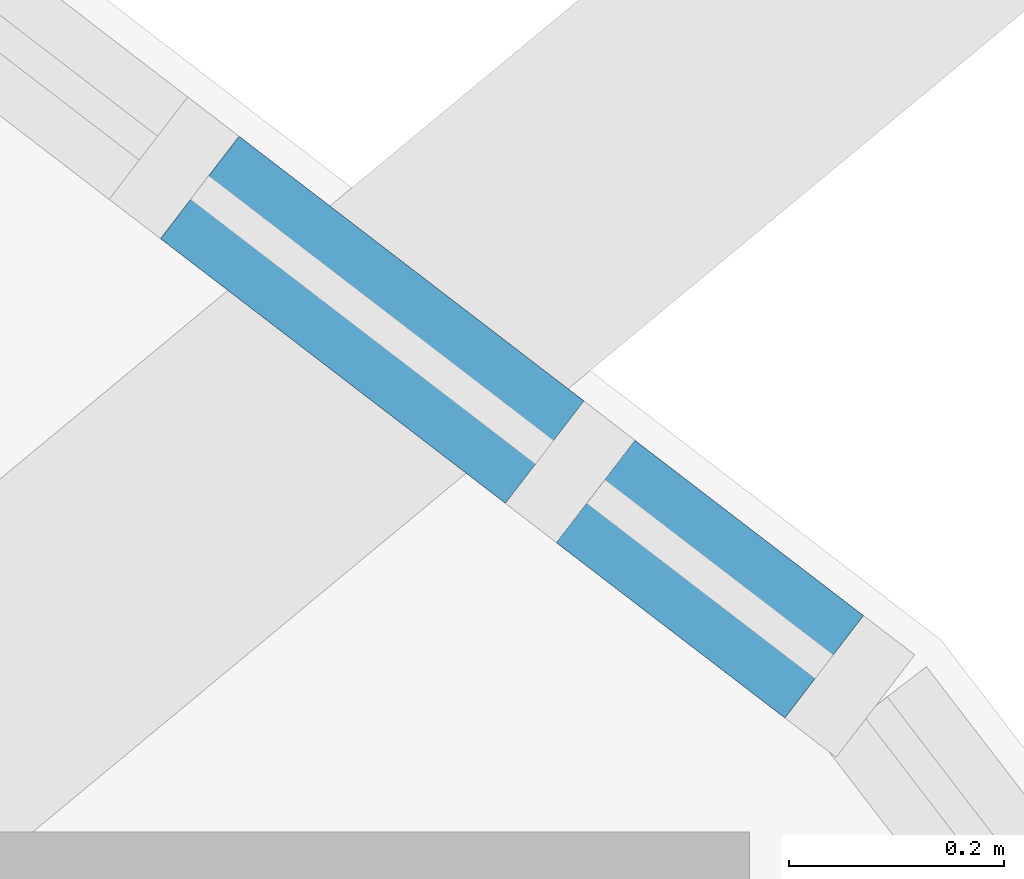
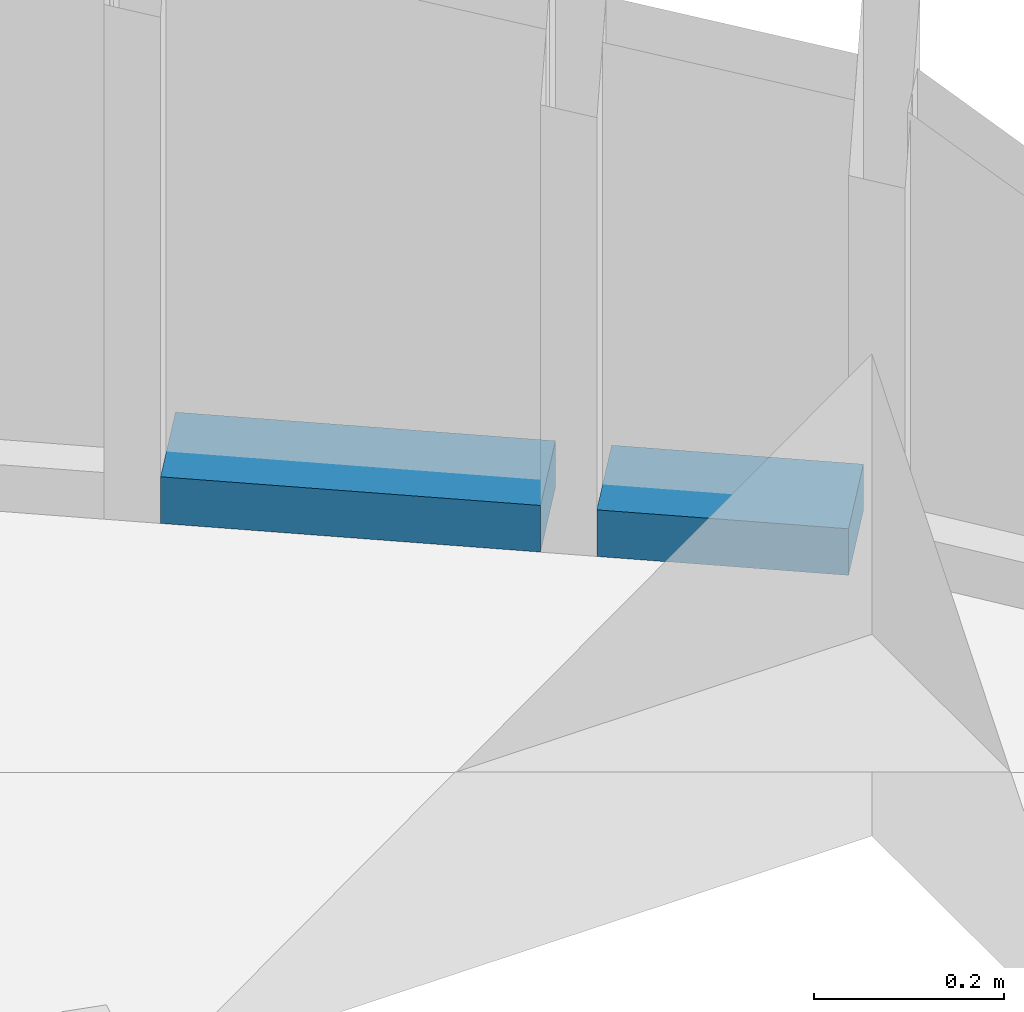
# One storey, part 14 of 27: 2 members, 2 elements without a shape of their own.
"""IFC4 building model written with IfcOpenShell, lengths in metres."""

from ifc_helpers import new_model, si_unit, direction, frame, origin, origin_2d, place, context, subcontext, project, spatial, rectangle, extrude, material, layer, layer_set, material_profile, profile_set, type_object, element, aggregate, save


model = new_model("IFC4")

# Units and contexts
model_context = context("Model", 3, precision=1e-05, world=origin(), true_north=direction((0.0, 1.0)))
body_context = subcontext(model_context, "Body", "Model", "MODEL_VIEW")
ifc_project = project(units=[si_unit("LENGTHUNIT", "METRE"), si_unit("AREAUNIT", "SQUARE_METRE"), si_unit("VOLUMEUNIT", "CUBIC_METRE"), si_unit("PLANEANGLEUNIT", "RADIAN"), si_unit("MASSUNIT", "GRAM", prefix="KILO")], contexts=[model_context])

# Site, building, storey
site_placement = place(None, origin())
site = spatial("IfcSite", under=ifc_project, at=site_placement, CompositionType="ELEMENT")
building_placement = place(site_placement, origin())
building = spatial("IfcBuilding", under=site, at=building_placement, Name="Marenta Gate Hotel Tower", CompositionType="ELEMENT")
storey_placement = place(building_placement, frame((0.0, 0.0, 270.5)))
storey = spatial("IfcBuildingStorey", under=building, at=storey_placement, Name="L62", CompositionType="ELEMENT", Elevation=270.5)

# Curtain wall, member
ifc_material_1 = material(Name="Tinted insulated glass in bronze anodised frame", Category="glass")
ifc_layer = layer(ifc_material_1, 0.1201171875)
ifc_layer_set = layer_set([ifc_layer], Name="Tinted insulated glass in bronze anodised frame")
curtain_wall_type = type_object("IfcCurtainWallType", Name="Tower unitised curtain wall CW1", PredefinedType="NOTDEFINED", material=ifc_layer_set)
curtain_wall_1_placement = place(storey_placement, origin())
curtain_wall_1 = element("IfcCurtainWall", 1, at=curtain_wall_1_placement, inside=storey, type_object=curtain_wall_type, Name="CW1 run G20", PredefinedType="NOTDEFINED")
ifc_material_2 = material(Name="Bronze anodised aluminium", Category="aluminium")
ifc_material_profile = material_profile(ifc_material_2, rectangle(XDim=0.1201171875, YDim=0.06005859375, at=origin_2d()), Name="Transom CW1 60x120 bronze anodised aluminium")
ifc_profile_set = profile_set([ifc_material_profile], Name="Bronze anodised aluminium")
member_type = type_object("IfcMemberType", Name="Transom CW1 60x120 bronze anodised aluminium", PredefinedType="USERDEFINED", material=ifc_profile_set)
member_1_placement = place(storey_placement, frame((21.304931640625, 15.089111328125, 0.030029296875), z_axis=(-0.793503708153, 0.608565415668, 0.0), x_axis=(-0.608565415668, -0.793503708153, 0.0)))
member_1 = element("IfcMember", 2, at=member_1_placement, type_object=member_type, Name="CW1 transom 1.1", ObjectType="TRANSOM", PredefinedType="USERDEFINED", context=body_context, shape_type="SweptSolid", body=[
    extrude(rectangle(XDim=0.1201171875, YDim=0.06005859375, at=origin_2d()), origin(), (0.0, 0.0, 1.0), 0.26806640625),
])
aggregate(curtain_wall_1, [member_1])

curtain_wall_2_placement = place(storey_placement, origin())
curtain_wall_2 = element("IfcCurtainWall", 3, at=curtain_wall_2_placement, inside=storey, type_object=curtain_wall_type, Name="CW1 run G21", PredefinedType="NOTDEFINED")
member_2_placement = place(storey_placement, frame((21.044921875, 15.288818359375, 0.030029296875), z_axis=(-0.793363535343, 0.608748142328, 0.0), x_axis=(-0.608748142328, -0.793363535343, 0.0)))
member_2 = element("IfcMember", 4, at=member_2_placement, type_object=member_type, Name="CW1 transom 1.1", ObjectType="TRANSOM", PredefinedType="USERDEFINED", context=body_context, shape_type="SweptSolid", body=[
    extrude(rectangle(XDim=0.1201171875, YDim=0.06005859375, at=origin_2d()), origin(), (0.0, 0.0, 1.0), 0.404541015625),
])
aggregate(curtain_wall_2, [member_2])

save(model, "model.ifc")
